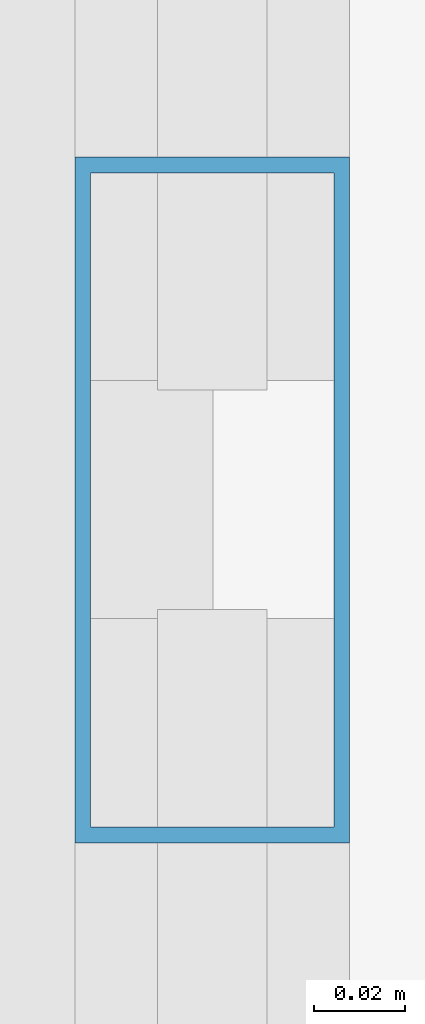
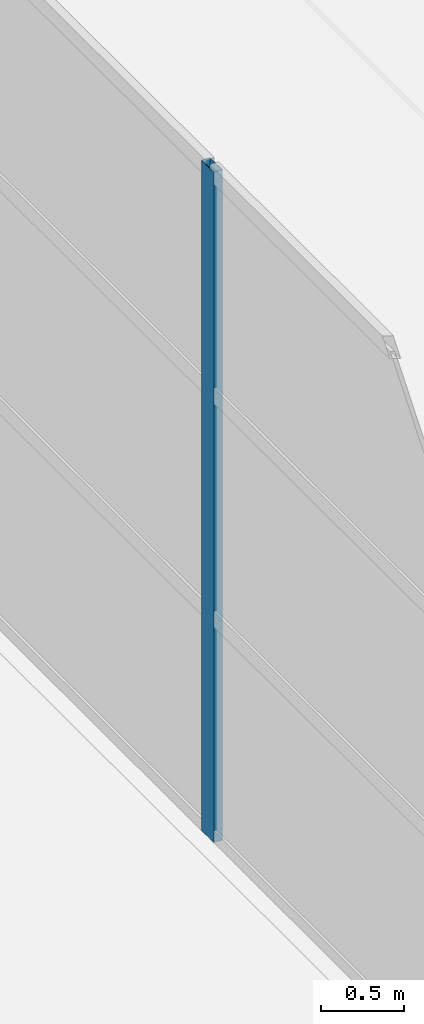
# One storey, part 5 of 34: 1 member, 1 element without a shape of its own.
"""IFC4 building model written with IfcOpenShell, lengths in metres."""

from ifc_helpers import new_model, si_unit, direction, frame, origin, origin_2d, place, context, subcontext, project, spatial, hollow_rectangle, extrude, material, layer, layer_set, material_profile, profile_set, type_object, element, aggregate, save


model = new_model("IFC4")

# Units and contexts
model_context = context("Model", 3, precision=1e-05, world=origin(), true_north=direction((0.0, 1.0)))
body_context = subcontext(model_context, "Body", "Model", "MODEL_VIEW")
ifc_project = project(units=[si_unit("LENGTHUNIT", "METRE"), si_unit("AREAUNIT", "SQUARE_METRE"), si_unit("VOLUMEUNIT", "CUBIC_METRE"), si_unit("PLANEANGLEUNIT", "RADIAN"), si_unit("MASSUNIT", "GRAM", prefix="KILO")], contexts=[model_context])

# Site, building, storey
site_placement = place(None, origin())
site = spatial("IfcSite", under=ifc_project, at=site_placement, CompositionType="ELEMENT")
building_placement = place(site_placement, origin())
building = spatial("IfcBuilding", under=site, at=building_placement, Name="Tamarisk Ironworks Central Station", CompositionType="ELEMENT")
storey_placement = place(building_placement, frame((0.0, 0.0, 25.199951171875)))
storey = spatial("IfcBuildingStorey", under=building, at=storey_placement, Name="L05", CompositionType="ELEMENT", Elevation=25.199951171875)

# Curtain wall, member
ifc_material = material(Name="Anodized aluminium alloy 6063-T6", Category="aluminium")
ifc_layer = layer(ifc_material, 0.179931640625)
ifc_layer_set = layer_set([ifc_layer], Name="Anodized aluminium alloy 6063-T6")
curtain_wall_type = type_object("IfcCurtainWallType", Name="CW-20", PredefinedType="USERDEFINED", material=ifc_layer_set)
curtain_wall_placement = place(storey_placement, origin())
curtain_wall = element("IfcCurtainWall", 1, at=curtain_wall_placement, inside=storey, type_object=curtain_wall_type, Name="Crown terrace overlook curtain wall L05-158", ObjectType="GLAZED CURTAIN WALL", PredefinedType="USERDEFINED")
ifc_material_profile = material_profile(ifc_material, hollow_rectangle(XDim=0.06005859375, YDim=0.14990234375, WallThickness=0.00341796875, at=origin_2d()), Name="ALUM 150x60")
ifc_profile_set = profile_set([ifc_material_profile], Name="Anodized aluminium alloy 6063-T6")
member_type = type_object("IfcMemberType", Name="CWM-03", PredefinedType="MULLION", material=ifc_profile_set)
member_placement = place(storey_placement, frame((140.14990234375, 95.03857421875, 0.0), z_axis=(0.0, 0.0, 1.0), x_axis=(-1.0, 0.0, 0.0)))
member = element("IfcMember", 2, at=member_placement, type_object=member_type, Name="CW20 mullion 2", PredefinedType="MULLION", context=body_context, shape_type="SweptSolid", body=[
    extrude(hollow_rectangle(XDim=0.06005859375, YDim=0.14990234375, WallThickness=0.00341796875, at=origin_2d()), origin(), (0.0, 0.0, 1.0), 4.920166015625),
])
aggregate(curtain_wall, [member])

save(model, "model.ifc")
